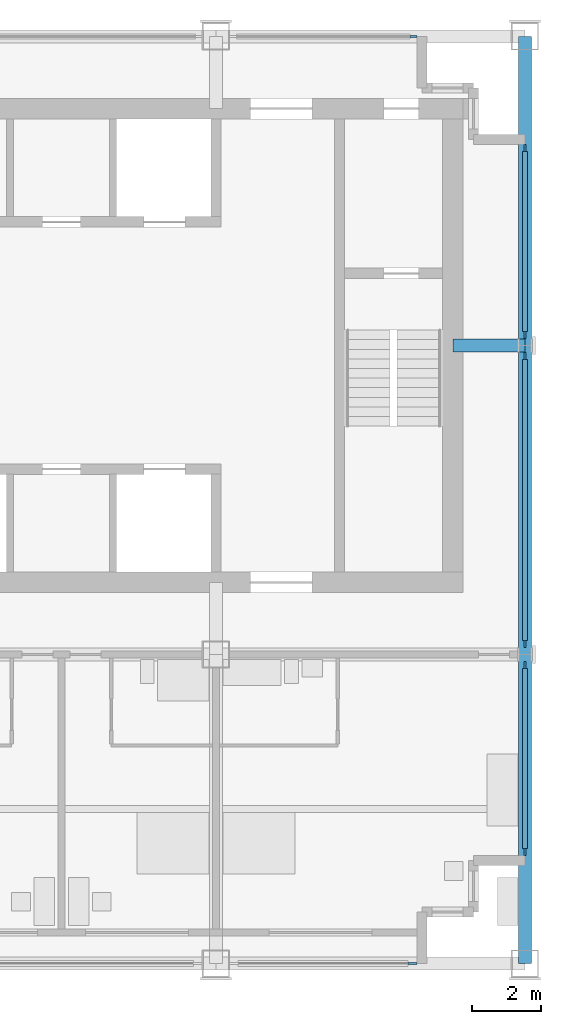
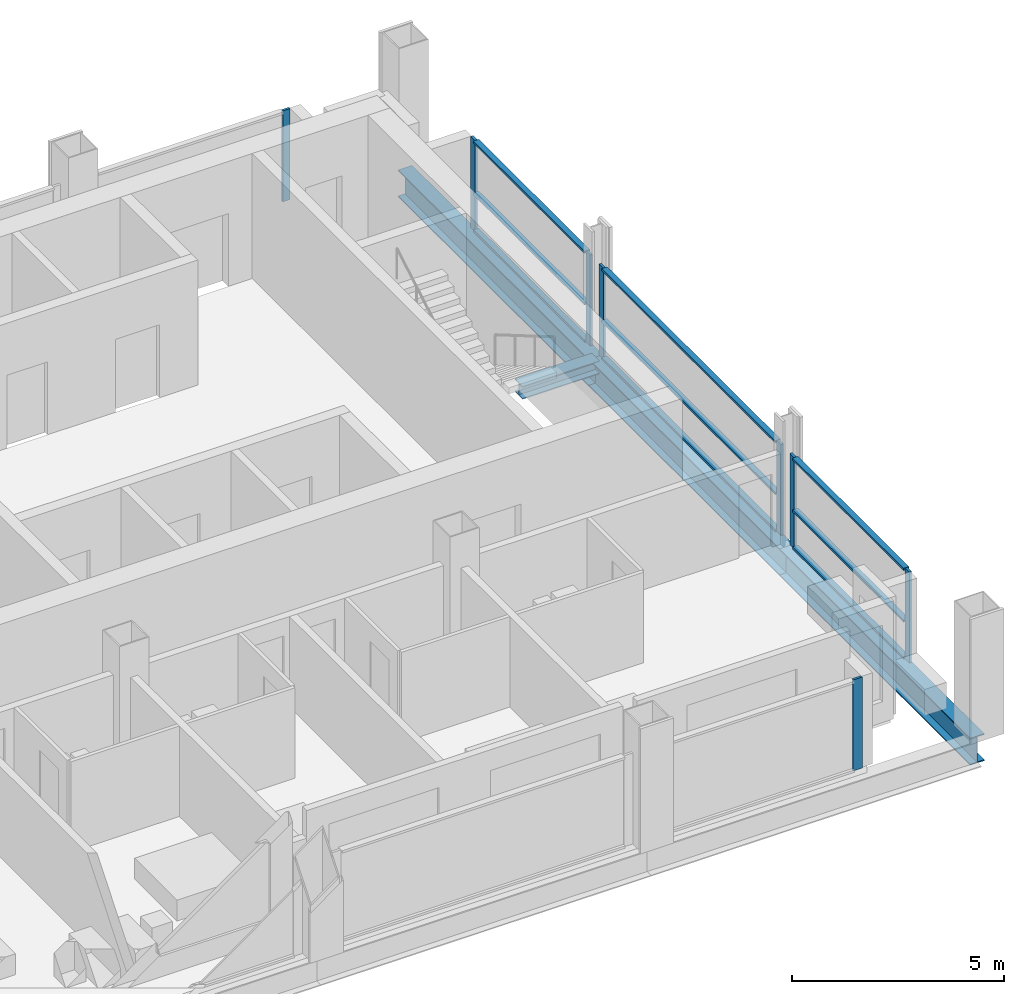
# One storey, part 4 of 12: 18 members, 3 beams, 5 elements without a shape of their own.
"""IFC4 building model written with IfcOpenShell, lengths in metres."""

from ifc_helpers import new_model, si_unit, direction, frame, origin, origin_2d, place, context, subcontext, project, spatial, rectangle, i_section, extrude, material, material_profile, profile_set, type_object, element, aggregate, save


model = new_model("IFC4")

# Units and contexts
model_context = context("Model", 3, precision=1e-05, world=origin(), true_north=direction((0.0, 1.0)))
body_context = subcontext(model_context, "Body", "Model", "MODEL_VIEW")
ifc_project = project(units=[si_unit("LENGTHUNIT", "METRE"), si_unit("AREAUNIT", "SQUARE_METRE"), si_unit("VOLUMEUNIT", "CUBIC_METRE"), si_unit("PLANEANGLEUNIT", "RADIAN"), si_unit("MASSUNIT", "GRAM", prefix="KILO")], contexts=[model_context])

# Site, building, storey
site_placement = place(None, origin())
site = spatial("IfcSite", under=ifc_project, at=site_placement, CompositionType="ELEMENT")
building_placement = place(site_placement, origin())
building = spatial("IfcBuilding", under=site, at=building_placement, Name="Loomwork Tower", CompositionType="ELEMENT")
storey_placement = place(building_placement, frame((0.0, 0.0, 255.39990234375)))
storey = spatial("IfcBuildingStorey", under=building, at=storey_placement, Name="L70", CompositionType="ELEMENT", Elevation=255.39990234375)

# Member
ifc_material_1 = material(Name="Steel ASTM A992", Category="steel")
ifc_material_profile_1 = material_profile(ifc_material_1, i_section(OverallWidth=0.373291015625, OverallDepth=0.373291015625, WebThickness=0.016357421875, FlangeThickness=0.026123046875, at=origin_2d()), Name="W14x132")
ifc_profile_set_1 = profile_set([ifc_material_profile_1], Name="Steel ASTM A992")
member_type_1 = type_object("IfcMemberType", Name="CORE LINK STRUT W14x132", PredefinedType="STRUT", material=ifc_profile_set_1)
member_1_placement = place(storey_placement, frame((36.0, 18.0, -0.386474609375), z_axis=(-1.0, 0.0, 0.0), x_axis=(0.0, -1.0, 0.0)))
element("IfcMember", 1, at=member_1_placement, inside=storey, type_object=member_type_1, Name="Core link strut F/6-33.900,18.000 L70", PredefinedType="STRUT", context=body_context, shape_type="SweptSolid", body=[
    extrude(i_section(OverallWidth=0.373291015625, OverallDepth=0.373291015625, WebThickness=0.016357421875, FlangeThickness=0.026123046875, at=origin_2d()), origin(), (0.0, 0.0, 1.0), 2.10009765625),
])

# Curtain wall, member
ifc_material_2 = material(Name="Aluminium curtain wall frame", Category="aluminium")
curtain_wall_type_1 = type_object("IfcCurtainWallType", Name="Outer skin glazing suites", PredefinedType="NOTDEFINED", material=ifc_material_2)
curtain_wall_1_placement = place(storey_placement, origin())
curtain_wall_1 = element("IfcCurtainWall", 2, at=curtain_wall_1_placement, inside=storey, type_object=curtain_wall_type_1, Name="Outer skin glazing suites cw/S-27", PredefinedType="NOTDEFINED")
ifc_material_3 = material(Name="Aluminium curtain wall frame", Category="aluminium")
ifc_material_profile_2 = material_profile(ifc_material_3, rectangle(XDim=0.06494140625, YDim=0.25, at=origin_2d()), Name="AL 65x250")
ifc_profile_set_2 = profile_set([ifc_material_profile_2], Name="Aluminium curtain wall frame")
member_type_2 = type_object("IfcMemberType", Name="Outer skin glazing suites mullion", PredefinedType="MULLION", material=ifc_profile_set_2)
member_2_placement = place(storey_placement, frame((32.72509765625, 0.0, 0.0), z_axis=(0.0, 0.0, 1.0), x_axis=(0.0, 1.0, 0.0)))
member_2 = element("IfcMember", 3, at=member_2_placement, type_object=member_type_2, Name="CW2 mullion 2", PredefinedType="MULLION", context=body_context, shape_type="SweptSolid", body=[
    extrude(rectangle(XDim=0.06494140625, YDim=0.25, at=origin_2d()), origin(), (0.0, 0.0, 1.0), 2.620361328125),
])
aggregate(curtain_wall_1, [member_2])

# Beams
ifc_material_4 = material(Name="Steel ASTM A992", Category="steel")
ifc_material_profile_3 = material_profile(ifc_material_4, i_section(OverallWidth=0.381103515625, OverallDepth=0.77978515625, WebThickness=0.01806640625, FlangeThickness=0.0302734375, at=origin_2d()), Name="W30x191")
ifc_profile_set_3 = profile_set([ifc_material_profile_3], Name="Steel ASTM A992")
beam_type = type_object("IfcBeamType", Name="SPANDREL GIRDER W30x191", PredefinedType="SPANDREL", material=ifc_profile_set_3)
for number, where, z_axis, x_axis, name in (
    (4, (36.0, 0.0, -0.58984375), (0.0, 1.0, 0.0), (-1.0, 0.0, 0.0), "Spandrel Girder D/6-E/6 L70"),
    (5, (36.0, 9.0, -0.58984375), (0.0, 1.0, 0.0), (-1.0, 0.0, 0.0), "Spandrel Girder E/6-F/6 L70"),
    (6, (36.0, 18.0, -0.58984375), (0.0, 1.0, 0.0), (-1.0, 0.0, 0.0), "Spandrel Girder F/6-G/6 L70"),
):
    element("IfcBeam", number, at=place(storey_placement, frame(where, z_axis=z_axis, x_axis=x_axis)), inside=storey, type_object=beam_type, Name=name, PredefinedType="SPANDREL", context=body_context, shape_type="SweptSolid", body=[
        extrude(i_section(OverallWidth=0.381103515625, OverallDepth=0.77978515625, WebThickness=0.01806640625, FlangeThickness=0.0302734375, at=origin_2d()), origin(), (0.0, 0.0, 1.0), 9.0),
    ])

# Curtain wall, member
ifc_material_5 = material(Name="Aluminium curtain wall frame", Category="aluminium")
curtain_wall_type_2 = type_object("IfcCurtainWallType", Name="Single skin glazing corridor", PredefinedType="NOTDEFINED", material=ifc_material_5)
curtain_wall_2_placement = place(storey_placement, origin())
curtain_wall_2 = element("IfcCurtainWall", 7, at=curtain_wall_2_placement, inside=storey, type_object=curtain_wall_type_2, Name="Single skin glazing corridor cw/N-27", PredefinedType="NOTDEFINED")
ifc_material_6 = material(Name="Aluminium curtain wall frame", Category="aluminium")
ifc_material_profile_4 = material_profile(ifc_material_6, rectangle(XDim=0.06494140625, YDim=0.199951171875, at=origin_2d()), Name="AL 65x200")
ifc_profile_set_4 = profile_set([ifc_material_profile_4], Name="Aluminium curtain wall frame")
member_type_3 = type_object("IfcMemberType", Name="Single skin glazing corridor mullion", PredefinedType="MULLION", material=ifc_profile_set_4)
member_3_placement = place(storey_placement, frame((32.75, 27.0, 0.0), z_axis=(0.0, 0.0, 1.0), x_axis=(0.0, -1.0, 0.0)))
member_3 = element("IfcMember", 8, at=member_3_placement, type_object=member_type_3, Name="CW3 mullion 1", PredefinedType="MULLION", context=body_context, shape_type="SweptSolid", body=[
    extrude(rectangle(XDim=0.06494140625, YDim=0.199951171875, at=origin_2d()), origin(), (0.0, 0.0, 1.0), 2.620361328125),
])
aggregate(curtain_wall_2, [member_3])

# Curtain wall, members
curtain_wall_3_placement = place(storey_placement, origin())
curtain_wall_3 = element("IfcCurtainWall", 9, at=curtain_wall_3_placement, inside=storey, type_object=curtain_wall_type_2, Name="Single skin glazing corridor cw/E-0", PredefinedType="NOTDEFINED")
member_4_placement = place(storey_placement, frame((36.0, 3.25, 0.0), z_axis=(0.0, 0.0, 1.0), x_axis=(-1.0, 0.0, 0.0)))
member_4 = element("IfcMember", 10, at=member_4_placement, type_object=member_type_3, Name="CW3 mullion 1", PredefinedType="MULLION", context=body_context, shape_type="SweptSolid", body=[
    extrude(rectangle(XDim=0.06494140625, YDim=0.199951171875, at=origin_2d()), origin(), (0.0, 0.0, 1.0), 2.620361328125),
])
member_5_placement = place(storey_placement, frame((36.0, 8.691650390625, 0.0), z_axis=(0.0, 0.0, 1.0), x_axis=(-1.0, 0.0, 0.0)))
member_5 = element("IfcMember", 11, at=member_5_placement, type_object=member_type_3, Name="CW3 mullion 2", PredefinedType="MULLION", context=body_context, shape_type="SweptSolid", body=[
    extrude(rectangle(XDim=0.06494140625, YDim=0.199951171875, at=origin_2d()), origin(), (0.0, 0.0, 1.0), 2.620361328125),
])

curtain_wall_4_placement = place(storey_placement, origin())
curtain_wall_4 = element("IfcCurtainWall", 12, at=curtain_wall_4_placement, inside=storey, type_object=curtain_wall_type_2, Name="Single skin glazing corridor cw/E-9", PredefinedType="NOTDEFINED")
member_6_placement = place(storey_placement, frame((36.0, 9.308349609375, 0.0), z_axis=(0.0, 0.0, 1.0), x_axis=(-1.0, 0.0, 0.0)))
member_6 = element("IfcMember", 13, at=member_6_placement, type_object=member_type_3, Name="CW3 mullion 1", PredefinedType="MULLION", context=body_context, shape_type="SweptSolid", body=[
    extrude(rectangle(XDim=0.06494140625, YDim=0.199951171875, at=origin_2d()), origin(), (0.0, 0.0, 1.0), 2.620361328125),
])
member_7_placement = place(storey_placement, frame((36.0, 17.691650390625, 0.0), z_axis=(0.0, 0.0, 1.0), x_axis=(-1.0, 0.0, 0.0)))
member_7 = element("IfcMember", 14, at=member_7_placement, type_object=member_type_3, Name="CW3 mullion 2", PredefinedType="MULLION", context=body_context, shape_type="SweptSolid", body=[
    extrude(rectangle(XDim=0.06494140625, YDim=0.199951171875, at=origin_2d()), origin(), (0.0, 0.0, 1.0), 2.620361328125),
])

curtain_wall_5_placement = place(storey_placement, origin())
curtain_wall_5 = element("IfcCurtainWall", 15, at=curtain_wall_5_placement, inside=storey, type_object=curtain_wall_type_2, Name="Single skin glazing corridor cw/E-18", PredefinedType="NOTDEFINED")
member_8_placement = place(storey_placement, frame((36.0, 18.308349609375, 0.0), z_axis=(0.0, 0.0, 1.0), x_axis=(-1.0, 0.0, 0.0)))
member_8 = element("IfcMember", 16, at=member_8_placement, type_object=member_type_3, Name="CW3 mullion 1", PredefinedType="MULLION", context=body_context, shape_type="SweptSolid", body=[
    extrude(rectangle(XDim=0.06494140625, YDim=0.199951171875, at=origin_2d()), origin(), (0.0, 0.0, 1.0), 2.620361328125),
])
member_9_placement = place(storey_placement, frame((36.0, 23.75, 0.0), z_axis=(0.0, 0.0, 1.0), x_axis=(-1.0, 0.0, 0.0)))
member_9 = element("IfcMember", 17, at=member_9_placement, type_object=member_type_3, Name="CW3 mullion 2", PredefinedType="MULLION", context=body_context, shape_type="SweptSolid", body=[
    extrude(rectangle(XDim=0.06494140625, YDim=0.199951171875, at=origin_2d()), origin(), (0.0, 0.0, 1.0), 2.620361328125),
])

# Member
ifc_material_7 = material(Name="Aluminium curtain wall frame", Category="aluminium")
ifc_material_profile_5 = material_profile(ifc_material_7, rectangle(XDim=0.14990234375, YDim=0.06494140625, at=origin_2d()), Name="AL 65x150")
ifc_profile_set_5 = profile_set([ifc_material_profile_5], Name="Aluminium curtain wall frame")
member_type_4 = type_object("IfcMemberType", Name="Single skin glazing corridor transom", PredefinedType="USERDEFINED", material=ifc_profile_set_5)
member_10_placement = place(storey_placement, frame((36.0, 3.35009765625, 0.03271484375), z_axis=(0.0, 1.0, 0.0), x_axis=(-1.0, 0.0, 0.0)))
member_10 = element("IfcMember", 18, at=member_10_placement, type_object=member_type_4, Name="CW3 transom 1.1", ObjectType="TRANSOM", PredefinedType="USERDEFINED", context=body_context, shape_type="SweptSolid", body=[
    extrude(rectangle(XDim=0.14990234375, YDim=0.06494140625, at=origin_2d()), origin(), (0.0, 0.0, 1.0), 5.24169921875),
])

member_11_placement = place(storey_placement, frame((36.0, 3.35009765625, 1.10009765625), z_axis=(0.0, 1.0, 0.0), x_axis=(-1.0, 0.0, 0.0)))
member_11 = element("IfcMember", 19, at=member_11_placement, type_object=member_type_4, Name="CW3 transom 1.2", ObjectType="TRANSOM", PredefinedType="USERDEFINED", context=body_context, shape_type="SweptSolid", body=[
    extrude(rectangle(XDim=0.14990234375, YDim=0.06494140625, at=origin_2d()), origin(), (0.0, 0.0, 1.0), 5.24169921875),
])

member_12_placement = place(storey_placement, frame((36.0, 3.35009765625, 2.587890625), z_axis=(0.0, 1.0, 0.0), x_axis=(-1.0, 0.0, 0.0)))
member_12 = element("IfcMember", 20, at=member_12_placement, type_object=member_type_4, Name="CW3 transom 1.3", ObjectType="TRANSOM", PredefinedType="USERDEFINED", context=body_context, shape_type="SweptSolid", body=[
    extrude(rectangle(XDim=0.14990234375, YDim=0.06494140625, at=origin_2d()), origin(), (0.0, 0.0, 1.0), 5.24169921875),
])

aggregate(curtain_wall_3, [member_4, member_5, member_10, member_11, member_12])

member_13_placement = place(storey_placement, frame((36.0, 9.408203125, 0.03271484375), z_axis=(0.0, 1.0, 0.0), x_axis=(-1.0, 0.0, 0.0)))
member_13 = element("IfcMember", 21, at=member_13_placement, type_object=member_type_4, Name="CW3 transom 1.1", ObjectType="TRANSOM", PredefinedType="USERDEFINED", context=body_context, shape_type="SweptSolid", body=[
    extrude(rectangle(XDim=0.14990234375, YDim=0.06494140625, at=origin_2d()), origin(), (0.0, 0.0, 1.0), 8.18359375),
])

member_14_placement = place(storey_placement, frame((36.0, 9.408203125, 1.10009765625), z_axis=(0.0, 1.0, 0.0), x_axis=(-1.0, 0.0, 0.0)))
member_14 = element("IfcMember", 22, at=member_14_placement, type_object=member_type_4, Name="CW3 transom 1.2", ObjectType="TRANSOM", PredefinedType="USERDEFINED", context=body_context, shape_type="SweptSolid", body=[
    extrude(rectangle(XDim=0.14990234375, YDim=0.06494140625, at=origin_2d()), origin(), (0.0, 0.0, 1.0), 8.18359375),
])

member_15_placement = place(storey_placement, frame((36.0, 9.408203125, 2.587890625), z_axis=(0.0, 1.0, 0.0), x_axis=(-1.0, 0.0, 0.0)))
member_15 = element("IfcMember", 23, at=member_15_placement, type_object=member_type_4, Name="CW3 transom 1.3", ObjectType="TRANSOM", PredefinedType="USERDEFINED", context=body_context, shape_type="SweptSolid", body=[
    extrude(rectangle(XDim=0.14990234375, YDim=0.06494140625, at=origin_2d()), origin(), (0.0, 0.0, 1.0), 8.18359375),
])

aggregate(curtain_wall_4, [member_6, member_7, member_13, member_14, member_15])

member_16_placement = place(storey_placement, frame((36.0, 18.408203125, 0.03271484375), z_axis=(0.0, 1.0, 0.0), x_axis=(-1.0, 0.0, 0.0)))
member_16 = element("IfcMember", 24, at=member_16_placement, type_object=member_type_4, Name="CW3 transom 1.1", ObjectType="TRANSOM", PredefinedType="USERDEFINED", context=body_context, shape_type="SweptSolid", body=[
    extrude(rectangle(XDim=0.14990234375, YDim=0.06494140625, at=origin_2d()), origin(), (0.0, 0.0, 1.0), 5.24169921875),
])

member_17_placement = place(storey_placement, frame((36.0, 18.408203125, 1.10009765625), z_axis=(0.0, 1.0, 0.0), x_axis=(-1.0, 0.0, 0.0)))
member_17 = element("IfcMember", 25, at=member_17_placement, type_object=member_type_4, Name="CW3 transom 1.2", ObjectType="TRANSOM", PredefinedType="USERDEFINED", context=body_context, shape_type="SweptSolid", body=[
    extrude(rectangle(XDim=0.14990234375, YDim=0.06494140625, at=origin_2d()), origin(), (0.0, 0.0, 1.0), 5.24169921875),
])

member_18_placement = place(storey_placement, frame((36.0, 18.408203125, 2.587890625), z_axis=(0.0, 1.0, 0.0), x_axis=(-1.0, 0.0, 0.0)))
member_18 = element("IfcMember", 26, at=member_18_placement, type_object=member_type_4, Name="CW3 transom 1.3", ObjectType="TRANSOM", PredefinedType="USERDEFINED", context=body_context, shape_type="SweptSolid", body=[
    extrude(rectangle(XDim=0.14990234375, YDim=0.06494140625, at=origin_2d()), origin(), (0.0, 0.0, 1.0), 5.24169921875),
])

aggregate(curtain_wall_5, [member_8, member_9, member_16, member_17, member_18])

save(model, "model.ifc")
